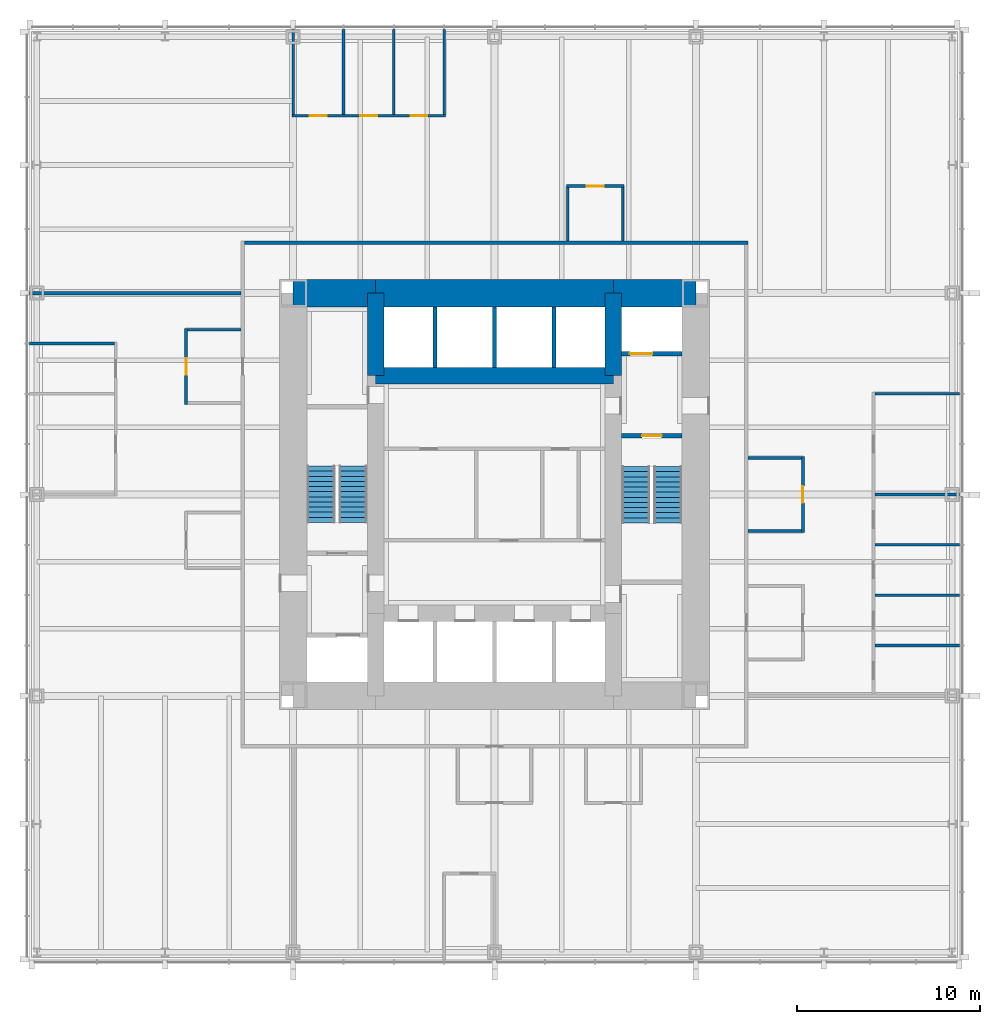
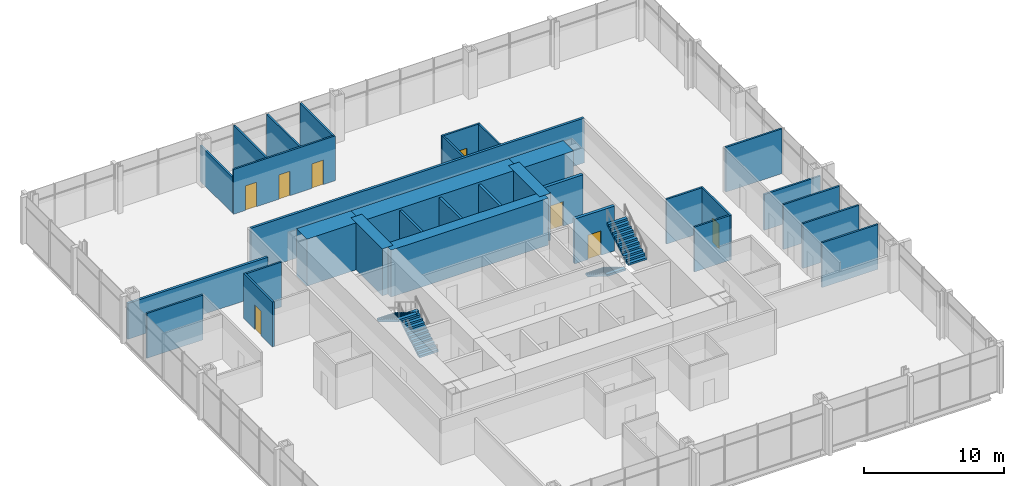
# One storey, part 11 of 12: 32 walls, 8 doors, 4 stair flights, 8 openings, 2 elements without a shape of their own.
"""IFC4 building model written with IfcOpenShell, lengths in metres."""

from ifc_helpers import new_model, si_unit, direction, frame, frame_2d, origin, place, context, subcontext, project, spatial, polyline, rectangle, outline, extrude, material, layer, layer_set, type_object, element, fill, aggregate, save


model = new_model("IFC4")

# Units and contexts
model_context = context("Model", 3, precision=1e-05, world=origin(), true_north=direction((0.0, 1.0)))
body_context = subcontext(model_context, "Body", "Model", "MODEL_VIEW")
ifc_project = project(units=[si_unit("LENGTHUNIT", "METRE"), si_unit("AREAUNIT", "SQUARE_METRE"), si_unit("VOLUMEUNIT", "CUBIC_METRE"), si_unit("PLANEANGLEUNIT", "RADIAN"), si_unit("MASSUNIT", "GRAM", prefix="KILO")], contexts=[model_context])

# Site, building, storey
site_placement = place(None, origin())
site = spatial("IfcSite", under=ifc_project, at=site_placement, CompositionType="ELEMENT")
building_placement = place(site_placement, origin())
building = spatial("IfcBuilding", under=site, at=building_placement, Name="Trevanion Tower", CompositionType="ELEMENT")
storey_placement = place(building_placement, frame((0.0, 0.0, 36.5)))
storey = spatial("IfcBuildingStorey", under=building, at=storey_placement, Name="L08", CompositionType="ELEMENT", Elevation=36.5)

# Walls
ifc_material_1 = material(Name="Concrete 10,000 psi", Category="concrete")
ifc_layer_1 = layer(ifc_material_1, 1.5)
ifc_layer_set_1 = layer_set([ifc_layer_1], Name="CW1 core wall 1500")
wall_type_1 = type_object("IfcWallType", Name="CW1 core wall 1500", PredefinedType="SHEAR", material=ifc_layer_set_1)
wall_1_placement = place(storey_placement, frame((11.0, 11.0, 0.0), z_axis=(0.0, 0.0, 1.0), x_axis=(-1.0, 0.0, 0.0)))
element("IfcWall", 1, at=wall_1_placement, inside=storey, type_object=wall_type_1, Name="CW1 CN1 L08", PredefinedType="SHEAR", context=body_context, shape_type="SweptSolid", body=[
    extrude(rectangle(XDim=4.5, YDim=1.5, at=frame_2d((2.25, 0.0))), origin(), (0.0, 0.0, 1.0), 4.10009765625),
])
wall_2_placement = place(storey_placement, frame((6.5, 11.0, 0.0), z_axis=(0.0, 0.0, 1.0), x_axis=(-1.0, 0.0, 0.0)))
element("IfcWall", 2, at=wall_2_placement, inside=storey, type_object=wall_type_1, Name="CW1 CN2 L08", PredefinedType="SHEAR", context=body_context, shape_type="SweptSolid", body=[
    extrude(rectangle(XDim=13.0, YDim=1.5, at=frame_2d((6.5, 0.0))), origin(), (0.0, 0.0, 1.0), 4.10009765625),
])
wall_3_placement = place(storey_placement, frame((-6.5, 11.0, 0.0), z_axis=(0.0, 0.0, 1.0), x_axis=(-1.0, 0.0, 0.0)))
element("IfcWall", 3, at=wall_3_placement, inside=storey, type_object=wall_type_1, Name="CW1 CN3 L08", PredefinedType="SHEAR", context=body_context, shape_type="SweptSolid", body=[
    extrude(rectangle(XDim=4.5, YDim=1.5, at=frame_2d((2.25, 0.0))), origin(), (0.0, 0.0, 1.0), 4.10009765625),
])
ifc_material_2 = material(Name="Concrete 10,000 psi", Category="concrete")
ifc_layer_2 = layer(ifc_material_2, 0.89990234375)
ifc_layer_set_2 = layer_set([ifc_layer_2], Name="CW2 core wall 900")
wall_type_2 = type_object("IfcWallType", Name="CW2 core wall 900", PredefinedType="SHEAR", material=ifc_layer_set_2)
for number, where, z_axis, x_axis, name in (
    (4, (6.5, 6.5, 0.0), (0.0, 0.0, 1.0), (0.0, 1.0, 0.0), "CW2 RE3 L08"),
    (5, (-6.5, 11.0, 0.0), (0.0, 0.0, 1.0), (0.0, -1.0, 0.0), "CW2 RW1 L08"),
):
    element("IfcWall", number, at=place(storey_placement, frame(where, z_axis=z_axis, x_axis=x_axis)), inside=storey, type_object=wall_type_2, Name=name, PredefinedType="SHEAR", context=body_context, shape_type="SweptSolid", body=[
        extrude(rectangle(XDim=4.5, YDim=0.89990234375, at=frame_2d((2.25, 0.0))), origin(), (0.0, 0.0, 1.0), 4.10009765625),
    ])
wall_4_placement = place(storey_placement, frame((6.5, 6.5, 0.0), z_axis=(0.0, 0.0, 1.0), x_axis=(-1.0, 0.0, 0.0)))
element("IfcWall", 6, at=wall_4_placement, inside=storey, type_object=wall_type_2, Name="CW2 RN L08", PredefinedType="SHEAR", context=body_context, shape_type="SweptSolid", body=[
    extrude(rectangle(XDim=13.0, YDim=0.89990234375, at=frame_2d((6.5, 0.0))), origin(), (0.0, 0.0, 1.0), 4.10009765625),
])
ifc_material_3 = material(Name="Gypsum board on steel studs", Category="steel")
ifc_layer_3 = layer(ifc_material_3, 0.14990234375)
ifc_layer_set_3 = layer_set([ifc_layer_3], Name="PT1 partition 150")
wall_type_3 = type_object("IfcWallType", Name="PT1 partition 150", PredefinedType="PARTITIONING", material=ifc_layer_set_3)
for number, where, z_axis, x_axis, name in (
    (7, (20.77490234375, -8.25, 0.0), (0.0, 0.0, 1.0), (1.0, 0.0, 0.0), "PT1 L08 FC0S1"),
    (8, (20.77490234375, -5.5, 0.0), (0.0, 0.0, 1.0), (1.0, 0.0, 0.0), "PT1 L08 FC0S2"),
    (9, (20.77490234375, -2.75, 0.0), (0.0, 0.0, 1.0), (1.0, 0.0, 0.0), "PT1 L08 FC0S3"),
):
    element("IfcWall", number, at=place(storey_placement, frame(where, z_axis=z_axis, x_axis=x_axis)), inside=storey, type_object=wall_type_3, Name=name, PredefinedType="PARTITIONING", context=body_context, shape_type="SweptSolid", body=[
        extrude(rectangle(XDim=4.64013671875, YDim=0.14990234375, at=frame_2d((2.320068359375, 0.0))), origin(), (0.0, 0.0, 1.0), 3.909912109375),
    ])
wall_5_placement = place(storey_placement, frame((20.77490234375, 0.0, 0.0), z_axis=(0.0, 0.0, 1.0), x_axis=(1.0, 0.0, 0.0)))
element("IfcWall", 10, at=wall_5_placement, inside=storey, type_object=wall_type_3, Name="PT1 L08 FC0S4", PredefinedType="PARTITIONING", context=body_context, shape_type="SweptSolid", body=[
    extrude(rectangle(XDim=4.64013671875, YDim=0.14990234375, at=frame_2d((2.320068359375, 0.0))), origin(), (0.0, 0.0, 1.0), 3.130126953125),
])
wall_6_placement = place(storey_placement, frame((20.77490234375, 5.5, 0.0), z_axis=(0.0, 0.0, 1.0), x_axis=(1.0, 0.0, 0.0)))
element("IfcWall", 11, at=wall_6_placement, inside=storey, type_object=wall_type_3, Name="PT1 L08 FC0S6", PredefinedType="PARTITIONING", context=body_context, shape_type="SweptSolid", body=[
    extrude(rectangle(XDim=4.64013671875, YDim=0.14990234375, at=frame_2d((2.320068359375, 0.0))), origin(), (0.0, 0.0, 1.0), 3.909912109375),
])

# Wall, openings, doors
wall_7_placement = place(storey_placement, frame((-2.675048828125, 20.699951171875, 0.0), z_axis=(0.0, 0.0, 1.0), x_axis=(-1.0, 0.0, 0.0)))
wall_7 = element("IfcWall", 12, at=wall_7_placement, inside=storey, type_object=wall_type_3, Name="PT1 L08 FC1F", PredefinedType="PARTITIONING", context=body_context, shape_type="SweptSolid", body=[
    extrude(rectangle(XDim=8.39990234375, YDim=0.14990234375, at=frame_2d((4.199951171875, 0.0))), origin(), (0.0, 0.0, 1.0), 3.909912109375),
])
opening_1_placement = place(wall_7_placement, frame((0.992431640625, 0.0, 0.0)))
opening_1 = element("IfcOpeningElement", 13, at=opening_1_placement, cuts=wall_7, Name="Opening 08-024", PredefinedType="OPENING", context=body_context, shape_type="SweptSolid", body=[
    extrude(rectangle(XDim=0.9150390625, YDim=2.134033203125, at=frame_2d((0.45751953125, 1.06689453125))), frame((0.0, 0.0849609375, 0.0), z_axis=(0.0, -1.0, 0.0), x_axis=(1.0, 0.0, 0.0)), (0.0, 0.0, 1.0), 0.169921875),
])
opening_2_placement = place(wall_7_placement, frame((3.742431640625, 0.0, 0.0)))
opening_2 = element("IfcOpeningElement", 14, at=opening_2_placement, cuts=wall_7, Name="Opening 08-025", PredefinedType="OPENING", context=body_context, shape_type="SweptSolid", body=[
    extrude(rectangle(XDim=0.9150390625, YDim=2.134033203125, at=frame_2d((0.45751953125, 1.06689453125))), frame((0.0, 0.0849609375, 0.0), z_axis=(0.0, -1.0, 0.0), x_axis=(1.0, 0.0, 0.0)), (0.0, 0.0, 1.0), 0.169921875),
])
opening_3_placement = place(wall_7_placement, frame((6.492431640625, 0.0, 0.0)))
opening_3 = element("IfcOpeningElement", 15, at=opening_3_placement, cuts=wall_7, Name="Opening 08-026", PredefinedType="OPENING", context=body_context, shape_type="SweptSolid", body=[
    extrude(rectangle(XDim=0.9150390625, YDim=2.134033203125, at=frame_2d((0.45751953125, 1.06689453125))), frame((0.0, 0.0849609375, 0.0), z_axis=(0.0, -1.0, 0.0), x_axis=(1.0, 0.0, 0.0)), (0.0, 0.0, 1.0), 0.169921875),
])
ifc_material_4 = material(Name="Timber veneer, solid core", Category="wood")
door_type_1 = type_object("IfcDoorType", Name="D1 office and meeting room door", OperationType="SINGLE_SWING_LEFT", PredefinedType="DOOR", material=ifc_material_4)
door_1_placement = place(opening_1_placement, origin())
door_1 = element("IfcDoor", 16, at=door_1_placement, inside=storey, type_object=door_type_1, Name="Door 08-024", OperationType="SINGLE_SWING_LEFT", OverallHeight=2.134033203125, OverallWidth=0.9150390625, PredefinedType="DOOR", context=body_context, shape_type="SweptSolid", body=[
    extrude(rectangle(XDim=0.9150390625, YDim=2.134033203125, at=frame_2d((0.45751953125, 1.06689453125))), frame((0.0, 0.02490234375, 0.0), z_axis=(0.0, -1.0, 0.0), x_axis=(1.0, 0.0, 0.0)), (0.0, 0.0, 1.0), 0.050048828125),
])
fill(opening_1, door_1)
door_2_placement = place(opening_2_placement, origin())
door_2 = element("IfcDoor", 17, at=door_2_placement, inside=storey, type_object=door_type_1, Name="Door 08-025", OperationType="SINGLE_SWING_LEFT", OverallHeight=2.134033203125, OverallWidth=0.9150390625, PredefinedType="DOOR", context=body_context, shape_type="SweptSolid", body=[
    extrude(rectangle(XDim=0.9150390625, YDim=2.134033203125, at=frame_2d((0.45751953125, 1.06689453125))), frame((0.0, 0.02490234375, 0.0), z_axis=(0.0, -1.0, 0.0), x_axis=(1.0, 0.0, 0.0)), (0.0, 0.0, 1.0), 0.050048828125),
])
fill(opening_2, door_2)
door_3_placement = place(opening_3_placement, origin())
door_3 = element("IfcDoor", 18, at=door_3_placement, inside=storey, type_object=door_type_1, Name="Door 08-026", OperationType="SINGLE_SWING_LEFT", OverallHeight=2.134033203125, OverallWidth=0.9150390625, PredefinedType="DOOR", context=body_context, shape_type="SweptSolid", body=[
    extrude(rectangle(XDim=0.9150390625, YDim=2.134033203125, at=frame_2d((0.45751953125, 1.06689453125))), frame((0.0, 0.02490234375, 0.0), z_axis=(0.0, -1.0, 0.0), x_axis=(1.0, 0.0, 0.0)), (0.0, 0.0, 1.0), 0.050048828125),
])
fill(opening_3, door_3)

# Walls
for number, where, z_axis, x_axis, name in (
    (19, (-2.75, 20.77490234375, 0.0), (0.0, 0.0, 1.0), (0.0, 1.0, 0.0), "PT1 L08 FC1S0"),
    (20, (-5.5, 20.77490234375, 0.0), (0.0, 0.0, 1.0), (0.0, 1.0, 0.0), "PT1 L08 FC1S1"),
    (21, (-8.25, 20.77490234375, 0.0), (0.0, 0.0, 1.0), (0.0, 1.0, 0.0), "PT1 L08 FC1S2"),
):
    element("IfcWall", number, at=place(storey_placement, frame(where, z_axis=z_axis, x_axis=x_axis)), inside=storey, type_object=wall_type_3, Name=name, PredefinedType="PARTITIONING", context=body_context, shape_type="SweptSolid", body=[
        extrude(rectangle(XDim=4.64013671875, YDim=0.14990234375, at=frame_2d((2.320068359375, 0.0))), origin(), (0.0, 0.0, 1.0), 3.909912109375),
    ])
wall_8_placement = place(storey_placement, frame((-11.0, 20.77490234375, 0.0), z_axis=(0.0, 0.0, 1.0), x_axis=(0.0, 1.0, 0.0)))
element("IfcWall", 22, at=wall_8_placement, inside=storey, type_object=wall_type_3, Name="PT1 L08 FC1S3", PredefinedType="PARTITIONING", context=body_context, shape_type="SweptSolid", body=[
    extrude(rectangle(XDim=4.64013671875, YDim=0.14990234375, at=frame_2d((2.320068359375, 0.0))), origin(), (0.0, 0.0, 1.0), 3.130126953125),
])
wall_9_placement = place(storey_placement, frame((-20.77490234375, 8.25, 0.0), z_axis=(0.0, 0.0, 1.0), x_axis=(-1.0, 0.0, 0.0)))
element("IfcWall", 23, at=wall_9_placement, inside=storey, type_object=wall_type_3, Name="PT1 L08 FC2S0", PredefinedType="PARTITIONING", context=body_context, shape_type="SweptSolid", body=[
    extrude(rectangle(XDim=4.64013671875, YDim=0.14990234375, at=frame_2d((2.320068359375, 0.0))), origin(), (0.0, 0.0, 1.0), 3.909912109375),
])

# Wall, opening, door
wall_10_placement = place(storey_placement, frame((16.85009765625, -2.074951171875, 0.0), z_axis=(0.0, 0.0, 1.0), x_axis=(0.0, 1.0, 0.0)))
wall_10 = element("IfcWall", 24, at=wall_10_placement, inside=storey, type_object=wall_type_3, Name="PT1 L08 IN01F", PredefinedType="PARTITIONING", context=body_context, shape_type="SweptSolid", body=[
    extrude(rectangle(XDim=4.14990234375, YDim=0.14990234375, at=frame_2d((2.074951171875, 0.0))), origin(), (0.0, 0.0, 1.0), 3.909912109375),
])
opening_4_placement = place(wall_10_placement, frame((1.617431640625, 0.0, 0.0)))
opening_4 = element("IfcOpeningElement", 25, at=opening_4_placement, cuts=wall_10, Name="Opening 08-032", PredefinedType="OPENING", context=body_context, shape_type="SweptSolid", body=[
    extrude(rectangle(XDim=0.9150390625, YDim=2.134033203125, at=frame_2d((0.45751953125, 1.06689453125))), frame((0.0, 0.0849609375, 0.0), z_axis=(0.0, -1.0, 0.0), x_axis=(1.0, 0.0, 0.0)), (0.0, 0.0, 1.0), 0.169921875),
])
door_4_placement = place(opening_4_placement, origin())
door_4 = element("IfcDoor", 26, at=door_4_placement, inside=storey, type_object=door_type_1, Name="Door 08-032", OperationType="SINGLE_SWING_LEFT", OverallHeight=2.134033203125, OverallWidth=0.9150390625, PredefinedType="DOOR", context=body_context, shape_type="SweptSolid", body=[
    extrude(rectangle(XDim=0.9150390625, YDim=2.134033203125, at=frame_2d((0.45751953125, 1.06689453125))), frame((0.0, 0.02490234375, 0.0), z_axis=(0.0, -1.0, 0.0), x_axis=(1.0, 0.0, 0.0)), (0.0, 0.0, 1.0), 0.050048828125),
])
fill(opening_4, door_4)

# Walls
for number, where, z_axis, x_axis, name in (
    (27, (16.77490234375, -2.0, 0.0), (0.0, 0.0, 1.0), (-1.0, 0.0, 0.0), "PT1 L08 IN01S0"),
    (28, (16.77490234375, 2.0, 0.0), (0.0, 0.0, 1.0), (-1.0, 0.0, 0.0), "PT1 L08 IN01S1"),
):
    element("IfcWall", number, at=place(storey_placement, frame(where, z_axis=z_axis, x_axis=x_axis)), inside=storey, type_object=wall_type_3, Name=name, PredefinedType="PARTITIONING", context=body_context, shape_type="SweptSolid", body=[
        extrude(rectangle(XDim=2.9248046875, YDim=0.14990234375, at=frame_2d((1.46240234375, 0.0))), origin(), (0.0, 0.0, 1.0), 3.909912109375),
    ])

# Wall, opening, door
wall_11_placement = place(storey_placement, frame((-16.85009765625, 9.074951171875, 0.0), z_axis=(0.0, 0.0, 1.0), x_axis=(0.0, -1.0, 0.0)))
wall_11 = element("IfcWall", 29, at=wall_11_placement, inside=storey, type_object=wall_type_3, Name="PT1 L08 IN20F", PredefinedType="PARTITIONING", context=body_context, shape_type="SweptSolid", body=[
    extrude(rectangle(XDim=4.14990234375, YDim=0.14990234375, at=frame_2d((2.074951171875, 0.0))), origin(), (0.0, 0.0, 1.0), 3.909912109375),
])
opening_5_placement = place(wall_11_placement, frame((1.617431640625, 0.0, 0.0)))
opening_5 = element("IfcOpeningElement", 30, at=opening_5_placement, cuts=wall_11, Name="Opening 08-033", PredefinedType="OPENING", context=body_context, shape_type="SweptSolid", body=[
    extrude(rectangle(XDim=0.9150390625, YDim=2.134033203125, at=frame_2d((0.45751953125, 1.06689453125))), frame((0.0, 0.0849609375, 0.0), z_axis=(0.0, -1.0, 0.0), x_axis=(1.0, 0.0, 0.0)), (0.0, 0.0, 1.0), 0.169921875),
])
door_5_placement = place(opening_5_placement, origin())
door_5 = element("IfcDoor", 31, at=door_5_placement, inside=storey, type_object=door_type_1, Name="Door 08-033", OperationType="SINGLE_SWING_LEFT", OverallHeight=2.134033203125, OverallWidth=0.9150390625, PredefinedType="DOOR", context=body_context, shape_type="SweptSolid", body=[
    extrude(rectangle(XDim=0.9150390625, YDim=2.134033203125, at=frame_2d((0.45751953125, 1.06689453125))), frame((0.0, 0.02490234375, 0.0), z_axis=(0.0, -1.0, 0.0), x_axis=(1.0, 0.0, 0.0)), (0.0, 0.0, 1.0), 0.050048828125),
])
fill(opening_5, door_5)

# Wall
wall_12_placement = place(storey_placement, frame((-16.77490234375, 9.0, 0.0), z_axis=(0.0, 0.0, 1.0), x_axis=(1.0, 0.0, 0.0)))
element("IfcWall", 32, at=wall_12_placement, inside=storey, type_object=wall_type_3, Name="PT1 L08 IN20S0", PredefinedType="PARTITIONING", context=body_context, shape_type="SweptSolid", body=[
    extrude(rectangle(XDim=2.9248046875, YDim=0.14990234375, at=frame_2d((1.46240234375, 0.0))), origin(), (0.0, 0.0, 1.0), 3.909912109375),
])

# Wall, opening, door
wall_13_placement = place(storey_placement, frame((7.074951171875, 16.85009765625, 0.0), z_axis=(0.0, 0.0, 1.0), x_axis=(-1.0, 0.0, 0.0)))
wall_13 = element("IfcWall", 33, at=wall_13_placement, inside=storey, type_object=wall_type_3, Name="PT1 L08 IN10F", PredefinedType="PARTITIONING", context=body_context, shape_type="SweptSolid", body=[
    extrude(rectangle(XDim=3.14990234375, YDim=0.14990234375, at=frame_2d((1.574951171875, 0.0))), origin(), (0.0, 0.0, 1.0), 3.909912109375),
])
opening_6_placement = place(wall_13_placement, frame((1.117431640625, 0.0, 0.0)))
opening_6 = element("IfcOpeningElement", 34, at=opening_6_placement, cuts=wall_13, Name="Opening 08-039", PredefinedType="OPENING", context=body_context, shape_type="SweptSolid", body=[
    extrude(rectangle(XDim=0.9150390625, YDim=2.134033203125, at=frame_2d((0.45751953125, 1.06689453125))), frame((0.0, 0.0849609375, 0.0), z_axis=(0.0, -1.0, 0.0), x_axis=(1.0, 0.0, 0.0)), (0.0, 0.0, 1.0), 0.169921875),
])
door_6_placement = place(opening_6_placement, origin())
door_6 = element("IfcDoor", 35, at=door_6_placement, inside=storey, type_object=door_type_1, Name="Door 08-039", OperationType="SINGLE_SWING_LEFT", OverallHeight=2.134033203125, OverallWidth=0.9150390625, PredefinedType="DOOR", context=body_context, shape_type="SweptSolid", body=[
    extrude(rectangle(XDim=0.9150390625, YDim=2.134033203125, at=frame_2d((0.45751953125, 1.06689453125))), frame((0.0, 0.02490234375, 0.0), z_axis=(0.0, -1.0, 0.0), x_axis=(1.0, 0.0, 0.0)), (0.0, 0.0, 1.0), 0.050048828125),
])
fill(opening_6, door_6)

# Walls
for number, where, z_axis, x_axis, name in (
    (36, (7.0, 16.77490234375, 0.0), (0.0, 0.0, 1.0), (0.0, -1.0, 0.0), "PT1 L08 IN10S0"),
    (37, (4.0, 16.77490234375, 0.0), (0.0, 0.0, 1.0), (0.0, -1.0, 0.0), "PT1 L08 IN10S1"),
):
    element("IfcWall", number, at=place(storey_placement, frame(where, z_axis=z_axis, x_axis=x_axis)), inside=storey, type_object=wall_type_3, Name=name, PredefinedType="PARTITIONING", context=body_context, shape_type="SweptSolid", body=[
        extrude(rectangle(XDim=2.9248046875, YDim=0.14990234375, at=frame_2d((1.46240234375, 0.0))), origin(), (0.0, 0.0, 1.0), 3.909912109375),
    ])
ifc_material_5 = material(Name="Concrete masonry, grouted", Category="masonry")
ifc_layer_4 = layer(ifc_material_5, 0.199951171875)
ifc_layer_set_4 = layer_set([ifc_layer_4], Name="PT2 partition 200 1 HR")
wall_type_4 = type_object("IfcWallType", Name="PT2 partition 200 1 HR", PredefinedType="PARTITIONING", material=ifc_layer_set_4)
wall_14_placement = place(storey_placement, frame((13.85009765625, 13.75, 0.0), z_axis=(0.0, 0.0, 1.0), x_axis=(-1.0, 0.0, 0.0)))
element("IfcWall", 38, at=wall_14_placement, inside=storey, type_object=wall_type_4, Name="PT2 L08 OC1", PredefinedType="PARTITIONING", context=body_context, shape_type="SweptSolid", body=[
    extrude(rectangle(XDim=27.5, YDim=0.199951171875, at=frame_2d((13.75, 0.0))), origin(), (0.0, 0.0, 1.0), 3.909912109375),
])
wall_15_placement = place(storey_placement, frame((-13.85009765625, 11.0, 0.0), z_axis=(0.0, 0.0, 1.0), x_axis=(-1.0, 0.0, 0.0)))
element("IfcWall", 39, at=wall_15_placement, inside=storey, type_object=wall_type_4, Name="PT2 L08 DM1", PredefinedType="PARTITIONING", context=body_context, shape_type="SweptSolid", body=[
    extrude(rectangle(XDim=11.56494140625, YDim=0.199951171875, at=frame_2d((5.782470703125, 0.0))), origin(), (0.0, 0.0, 1.0), 3.130126953125),
])
ifc_material_6 = material(Name="Concrete masonry, grouted", Category="masonry")
ifc_layer_5 = layer(ifc_material_6, 0.199951171875)
ifc_layer_set_5 = layer_set([ifc_layer_5], Name="PT2 partition 200 2 HR")
wall_type_5 = type_object("IfcWallType", Name="PT2 partition 200 2 HR", PredefinedType="PARTITIONING", material=ifc_layer_set_5)
for number, where, z_axis, x_axis, name in (
    (40, (-3.25, 6.949951171875, 0.0), (0.0, 0.0, 1.0), (0.0, 1.0, 0.0), "PT2 L08 NS0"),
    (41, (0.0, 6.949951171875, 0.0), (0.0, 0.0, 1.0), (0.0, 1.0, 0.0), "PT2 L08 NS1"),
    (42, (3.25, 6.949951171875, 0.0), (0.0, 0.0, 1.0), (0.0, 1.0, 0.0), "PT2 L08 NS2"),
):
    element("IfcWall", number, at=place(storey_placement, frame(where, z_axis=z_axis, x_axis=x_axis)), inside=storey, type_object=wall_type_5, Name=name, PredefinedType="PARTITIONING", context=body_context, shape_type="SweptSolid", body=[
        extrude(rectangle(XDim=3.300048828125, YDim=0.199951171875, at=frame_2d((1.64990234375, 0.0))), origin(), (0.0, 0.0, 1.0), 3.909912109375),
    ])

# Wall, opening, door
ifc_material_7 = material(Name="Concrete masonry, grouted, two-hour", Category="masonry")
ifc_layer_6 = layer(ifc_material_7, 0.25)
ifc_layer_set_6 = layer_set([ifc_layer_6], Name="PT3 partition 250 2 HR")
wall_type_6 = type_object("IfcWallType", Name="PT3 partition 250 2 HR", PredefinedType="PARTITIONING", material=ifc_layer_set_6)
wall_16_placement = place(storey_placement, frame((6.949951171875, 7.699951171875, 0.0), z_axis=(0.0, 0.0, 1.0), x_axis=(1.0, 0.0, 0.0)))
wall_16 = element("IfcWall", 43, at=wall_16_placement, inside=storey, type_object=wall_type_6, Name="PT3 L08 EP3", PredefinedType="PARTITIONING", context=body_context, shape_type="SweptSolid", body=[
    extrude(rectangle(XDim=3.300048828125, YDim=0.25, at=frame_2d((1.64990234375, 0.0))), origin(), (0.0, 0.0, 1.0), 3.909912109375),
])
opening_7_placement = place(wall_16_placement, frame((0.449951171875, 0.0, 0.0)))
opening_7 = element("IfcOpeningElement", 44, at=opening_7_placement, cuts=wall_16, Name="Opening 08-007", PredefinedType="OPENING", context=body_context, shape_type="SweptSolid", body=[
    extrude(rectangle(XDim=1.218994140625, YDim=2.134033203125, at=frame_2d((0.609375, 1.06689453125))), frame((0.0, 0.135009765625, 0.0), z_axis=(0.0, -1.0, 0.0), x_axis=(1.0, 0.0, 0.0)), (0.0, 0.0, 1.0), 0.27001953125),
])
ifc_material_8 = material(Name="Stainless steel, fire rated", Category="steel")
door_type_2 = type_object("IfcDoorType", Name="LD2 fire service lift landing door", OperationType="SLIDING_TO_LEFT", PredefinedType="DOOR", material=ifc_material_8)
door_7_placement = place(opening_7_placement, origin())
door_7 = element("IfcDoor", 45, at=door_7_placement, inside=storey, type_object=door_type_2, Name="Door 08-007", OperationType="SLIDING_TO_LEFT", OverallHeight=2.134033203125, OverallWidth=1.218994140625, PredefinedType="DOOR", context=body_context, shape_type="SweptSolid", body=[
    extrude(rectangle(XDim=1.218994140625, YDim=2.134033203125, at=frame_2d((0.609375, 1.06689453125))), frame((0.0, 0.02490234375, 0.0), z_axis=(0.0, -1.0, 0.0), x_axis=(1.0, 0.0, 0.0)), (0.0, 0.0, 1.0), 0.050048828125),
])
fill(opening_7, door_7)

ifc_material_9 = material(Name="Reinforced masonry, fully grouted", Category="masonry")
ifc_layer_7 = layer(ifc_material_9, 0.25)
ifc_layer_set_7 = layer_set([ifc_layer_7], Name="SW1 stair shaft wall 250")
wall_type_7 = type_object("IfcWallType", Name="SW1 stair shaft wall 250", PredefinedType="SOLIDWALL", material=ifc_layer_set_7)
wall_17_placement = place(storey_placement, frame((6.949951171875, 3.199951171875, 0.0), z_axis=(0.0, 0.0, 1.0), x_axis=(1.0, 0.0, 0.0)))
wall_17 = element("IfcWall", 46, at=wall_17_placement, inside=storey, type_object=wall_type_7, Name="SW1 L08 EP2", PredefinedType="SOLIDWALL", context=body_context, shape_type="SweptSolid", body=[
    extrude(rectangle(XDim=3.300048828125, YDim=0.25, at=frame_2d((1.64990234375, 0.0))), origin(), (0.0, 0.0, 1.0), 3.909912109375),
])
opening_8_placement = place(wall_17_placement, frame((1.116455078125, 0.0, 0.0)))
opening_8 = element("IfcOpeningElement", 47, at=opening_8_placement, cuts=wall_17, Name="Opening 08-005", PredefinedType="OPENING", context=body_context, shape_type="SweptSolid", body=[
    extrude(rectangle(XDim=1.06689453125, YDim=2.134033203125, at=frame_2d((0.533447265625, 1.06689453125))), frame((0.0, 0.135009765625, 0.0), z_axis=(0.0, -1.0, 0.0), x_axis=(1.0, 0.0, 0.0)), (0.0, 0.0, 1.0), 0.27001953125),
])
ifc_material_10 = material(Name="Hollow metal, fire rated", Category="steel")
door_type_3 = type_object("IfcDoorType", Name="D2 exit stair door", OperationType="SINGLE_SWING_LEFT", PredefinedType="DOOR", material=ifc_material_10)
door_8_placement = place(opening_8_placement, origin())
door_8 = element("IfcDoor", 48, at=door_8_placement, inside=storey, type_object=door_type_3, Name="Door 08-005", OperationType="SINGLE_SWING_LEFT", OverallHeight=2.134033203125, OverallWidth=1.06689453125, PredefinedType="DOOR", context=body_context, shape_type="SweptSolid", body=[
    extrude(rectangle(XDim=1.06689453125, YDim=2.134033203125, at=frame_2d((0.533447265625, 1.06689453125))), frame((0.0, 0.02490234375, 0.0), z_axis=(0.0, -1.0, 0.0), x_axis=(1.0, 0.0, 0.0)), (0.0, 0.0, 1.0), 0.050048828125),
])
fill(opening_8, door_8)

# Stair, stair flights
ifc_material_11 = material(Name="Concrete 5,000 psi on steel stringers", Category="concrete")
stair_type = type_object("IfcStairType", Name="ST stair", PredefinedType="HALF_TURN_STAIR", material=ifc_material_11)
stair_1_placement = place(storey_placement, origin())
stair_1 = element("IfcStair", 49, at=stair_1_placement, inside=storey, type_object=stair_type, Name="ST1 L08", PredefinedType="HALF_TURN_STAIR")
ifc_material_12 = material(Name="Concrete 5,000 psi in steel pan", Category="concrete")
stair_flight_type = type_object("IfcStairFlightType", Name="STF stair flight", PredefinedType="STRAIGHT", material=ifc_material_12)
stair_flight_1_placement = place(storey_placement, frame((7.72509765625, 1.52490234375, 0.0), z_axis=(0.0, 0.0, 1.0), x_axis=(0.0, -1.0, 0.0)))
stair_flight_1 = element("IfcStairFlight", 50, at=stair_flight_1_placement, type_object=stair_flight_type, Name="ST1 flight 1", NumberOfRisers=12, NumberOfTreads=11, PredefinedType="STRAIGHT", RiserHeight=0.170833333, TreadLength=0.28, context=body_context, shape_type="SweptSolid", body=[
    extrude(outline(polyline([(0.0, 0.0), (0.0, 0.1708984375), (0.280029296875, 0.1708984375), (0.280029296875, 0.341552734375), (0.56005859375, 0.341552734375), (0.56005859375, 0.512451171875), (0.840087890625, 0.512451171875), (0.840087890625, 0.683349609375), (1.1201171875, 0.683349609375), (1.1201171875, 0.854248046875), (1.39990234375, 0.854248046875), (1.39990234375, 1.02490234375), (1.679931640625, 1.02490234375), (1.679931640625, 1.19580078125), (1.9599609375, 1.19580078125), (1.9599609375, 1.36669921875), (2.239990234375, 1.36669921875), (2.239990234375, 1.53759765625), (2.52001953125, 1.53759765625), (2.52001953125, 1.708251953125), (2.800048828125, 1.708251953125), (2.800048828125, 1.879150390625), (3.080078125, 1.879150390625), (3.080078125, 2.050048828125), (3.080078125, 1.70361328125), (0.287841796875, 0.0), (0.0, 0.0)])), frame((0.0, 0.77490234375, 0.0), z_axis=(0.0, -1.0, 0.0), x_axis=(1.0, 0.0, 0.0)), (0.0, 0.0, 1.0), 1.550048828125),
])
stair_flight_2_placement = place(storey_placement, frame((9.47509765625, -1.554931640625, 2.050048828125), z_axis=(0.0, 0.0, 1.0), x_axis=(0.0, 1.0, 0.0)))
stair_flight_2 = element("IfcStairFlight", 51, at=stair_flight_2_placement, type_object=stair_flight_type, Name="ST1 flight 2", NumberOfRisers=12, NumberOfTreads=11, PredefinedType="STRAIGHT", RiserHeight=0.170833333, TreadLength=0.28, context=body_context, shape_type="SweptSolid", body=[
    extrude(outline(polyline([(0.0, 0.0), (0.0, 0.1708984375), (0.280029296875, 0.1708984375), (0.280029296875, 0.341552734375), (0.56005859375, 0.341552734375), (0.56005859375, 0.512451171875), (0.840087890625, 0.512451171875), (0.840087890625, 0.683349609375), (1.1201171875, 0.683349609375), (1.1201171875, 0.854248046875), (1.39990234375, 0.854248046875), (1.39990234375, 1.02490234375), (1.679931640625, 1.02490234375), (1.679931640625, 1.19580078125), (1.9599609375, 1.19580078125), (1.9599609375, 1.36669921875), (2.239990234375, 1.36669921875), (2.239990234375, 1.53759765625), (2.52001953125, 1.53759765625), (2.52001953125, 1.708251953125), (2.800048828125, 1.708251953125), (2.800048828125, 1.879150390625), (3.080078125, 1.879150390625), (3.080078125, 2.050048828125), (3.080078125, 1.70361328125), (0.287841796875, 0.0), (0.0, 0.0)])), frame((0.0, 0.77490234375, 0.0), z_axis=(0.0, -1.0, 0.0), x_axis=(1.0, 0.0, 0.0)), (0.0, 0.0, 1.0), 1.550048828125),
])
aggregate(stair_1, [stair_flight_1, stair_flight_2])

stair_2_placement = place(storey_placement, origin())
stair_2 = element("IfcStair", 52, at=stair_2_placement, inside=storey, type_object=stair_type, Name="ST2 L08", PredefinedType="HALF_TURN_STAIR")
stair_flight_3_placement = place(storey_placement, frame((-7.72509765625, -1.52490234375, 0.0), z_axis=(0.0, 0.0, 1.0), x_axis=(0.0, 1.0, 0.0)))
stair_flight_3 = element("IfcStairFlight", 53, at=stair_flight_3_placement, type_object=stair_flight_type, Name="ST2 flight 1", NumberOfRisers=12, NumberOfTreads=11, PredefinedType="STRAIGHT", RiserHeight=0.170833333, TreadLength=0.28, context=body_context, shape_type="SweptSolid", body=[
    extrude(outline(polyline([(0.0, 0.0), (0.0, 0.1708984375), (0.280029296875, 0.1708984375), (0.280029296875, 0.341552734375), (0.56005859375, 0.341552734375), (0.56005859375, 0.512451171875), (0.840087890625, 0.512451171875), (0.840087890625, 0.683349609375), (1.1201171875, 0.683349609375), (1.1201171875, 0.854248046875), (1.39990234375, 0.854248046875), (1.39990234375, 1.02490234375), (1.679931640625, 1.02490234375), (1.679931640625, 1.19580078125), (1.9599609375, 1.19580078125), (1.9599609375, 1.36669921875), (2.239990234375, 1.36669921875), (2.239990234375, 1.53759765625), (2.52001953125, 1.53759765625), (2.52001953125, 1.708251953125), (2.800048828125, 1.708251953125), (2.800048828125, 1.879150390625), (3.080078125, 1.879150390625), (3.080078125, 2.050048828125), (3.080078125, 1.70361328125), (0.287841796875, 0.0), (0.0, 0.0)])), frame((0.0, 0.77490234375, 0.0), z_axis=(0.0, -1.0, 0.0), x_axis=(1.0, 0.0, 0.0)), (0.0, 0.0, 1.0), 1.550048828125),
])
stair_flight_4_placement = place(storey_placement, frame((-9.47509765625, 1.554931640625, 2.050048828125), z_axis=(0.0, 0.0, 1.0), x_axis=(0.0, -1.0, 0.0)))
stair_flight_4 = element("IfcStairFlight", 54, at=stair_flight_4_placement, type_object=stair_flight_type, Name="ST2 flight 2", NumberOfRisers=12, NumberOfTreads=11, PredefinedType="STRAIGHT", RiserHeight=0.170833333, TreadLength=0.28, context=body_context, shape_type="SweptSolid", body=[
    extrude(outline(polyline([(0.0, 0.0), (0.0, 0.1708984375), (0.280029296875, 0.1708984375), (0.280029296875, 0.341552734375), (0.56005859375, 0.341552734375), (0.56005859375, 0.512451171875), (0.840087890625, 0.512451171875), (0.840087890625, 0.683349609375), (1.1201171875, 0.683349609375), (1.1201171875, 0.854248046875), (1.39990234375, 0.854248046875), (1.39990234375, 1.02490234375), (1.679931640625, 1.02490234375), (1.679931640625, 1.19580078125), (1.9599609375, 1.19580078125), (1.9599609375, 1.36669921875), (2.239990234375, 1.36669921875), (2.239990234375, 1.53759765625), (2.52001953125, 1.53759765625), (2.52001953125, 1.708251953125), (2.800048828125, 1.708251953125), (2.800048828125, 1.879150390625), (3.080078125, 1.879150390625), (3.080078125, 2.050048828125), (3.080078125, 1.70361328125), (0.287841796875, 0.0), (0.0, 0.0)])), frame((0.0, 0.77490234375, 0.0), z_axis=(0.0, -1.0, 0.0), x_axis=(1.0, 0.0, 0.0)), (0.0, 0.0, 1.0), 1.550048828125),
])
aggregate(stair_2, [stair_flight_3, stair_flight_4])

save(model, "model.ifc")
